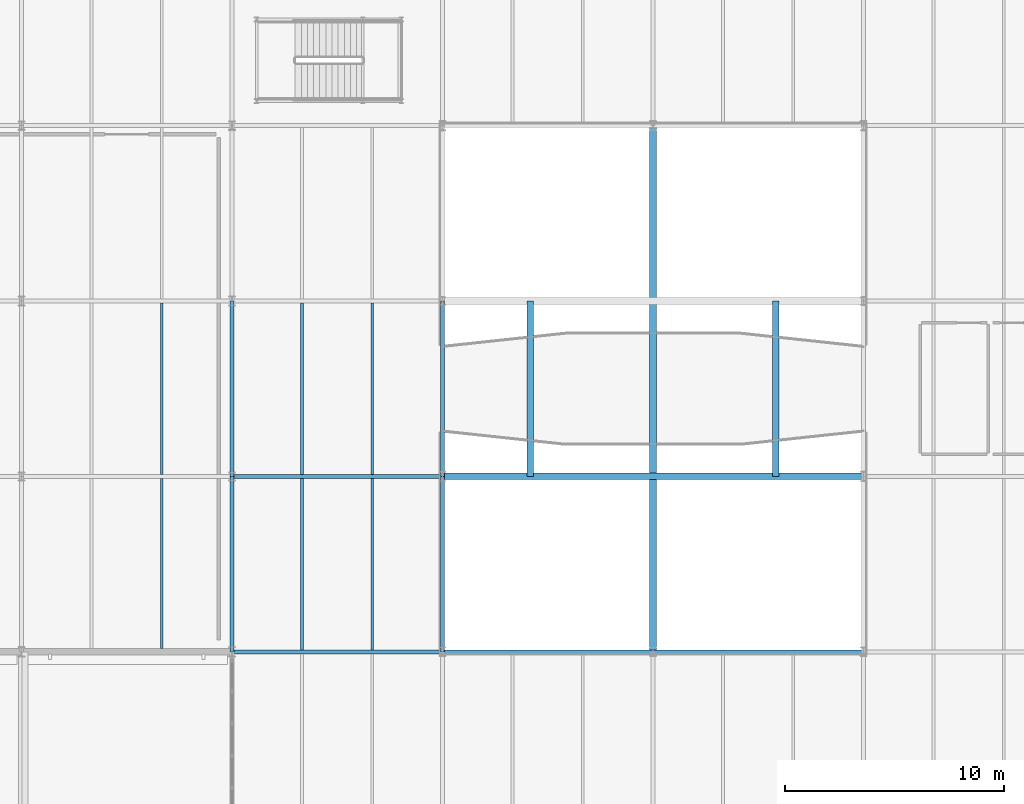
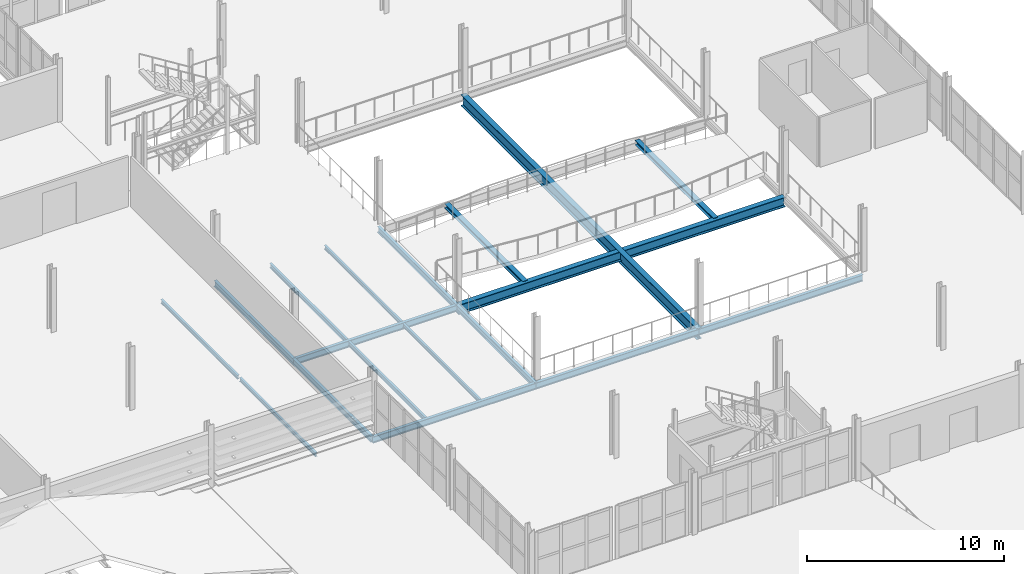
# One storey, part 42 of 85: 18 beams.
"""IFC4 building model written with IfcOpenShell, lengths in metres."""

from ifc_helpers import new_model, si_unit, direction, frame, origin, origin_2d, place, context, subcontext, project, spatial, i_section, extrude, material, material_profile, profile_set, type_object, element, save


model = new_model("IFC4")

# Units and contexts
model_context = context("Model", 3, precision=1e-05, world=origin(), true_north=direction((0.0, 1.0)))
body_context = subcontext(model_context, "Body", "Model", "MODEL_VIEW")
ifc_project = project(units=[si_unit("LENGTHUNIT", "METRE"), si_unit("AREAUNIT", "SQUARE_METRE"), si_unit("VOLUMEUNIT", "CUBIC_METRE"), si_unit("PLANEANGLEUNIT", "RADIAN"), si_unit("MASSUNIT", "GRAM", prefix="KILO")], contexts=[model_context])

# Site, building, storey
site_placement = place(None, origin())
site = spatial("IfcSite", under=ifc_project, at=site_placement, CompositionType="ELEMENT")
building_placement = place(site_placement, origin())
building = spatial("IfcBuilding", under=site, at=building_placement, Name="Alderhovde Museum", CompositionType="ELEMENT")
storey_placement = place(building_placement, frame((0.0, 0.0, 8.699951171875)))
storey = spatial("IfcBuildingStorey", under=building, at=storey_placement, Name="L02", CompositionType="ELEMENT", Elevation=8.699951171875)

# Beams
ifc_material_1 = material(Name="Steel S355J2", Category="steel")
ifc_material_profile_1 = material_profile(ifc_material_1, i_section(OverallWidth=0.280029296875, OverallDepth=0.27001953125, WebThickness=0.008056640625, FlangeThickness=0.012939453125, FilletRadius=0.02392578125, at=origin_2d()), Name="HEA 280")
ifc_profile_set_1 = profile_set([ifc_material_profile_1], Name="Steel S355J2")
beam_type_1 = type_object("IfcBeamType", Name="BM-HEA280", PredefinedType="BEAM", material=ifc_profile_set_1)
for number, where, z_axis, x_axis, name in (
    (1, (90.39990234375, 56.0, -0.35498046875), (0.0, 1.0, 0.0), (-1.0, 0.0, 0.0), "L02 Atrium Bridge Bearer X=90.4"),
    (2, (101.60009765625, 56.0, -0.35498046875), (0.0, 1.0, 0.0), (-1.0, 0.0, 0.0), "L02 Atrium Bridge Bearer X=101.6"),
):
    element("IfcBeam", number, at=place(storey_placement, frame(where, z_axis=z_axis, x_axis=x_axis)), inside=storey, type_object=beam_type_1, Name=name, PredefinedType="BEAM", context=body_context, shape_type="SweptSolid", body=[
        extrude(i_section(OverallWidth=0.280029296875, OverallDepth=0.27001953125, WebThickness=0.008056640625, FlangeThickness=0.012939453125, FilletRadius=0.02392578125, at=origin_2d()), origin(), (0.0, 0.0, 1.0), 8.0),
    ])
ifc_material_2 = material(Name="Steel S355J2", Category="steel")
ifc_material_profile_2 = material_profile(ifc_material_2, i_section(OverallWidth=0.300048828125, OverallDepth=0.60009765625, WebThickness=0.015380859375, FlangeThickness=0.030029296875, FilletRadius=0.027099609375, at=origin_2d()), Name="HEB 600")
ifc_profile_set_2 = profile_set([ifc_material_profile_2], Name="Steel S355J2")
beam_type_2 = type_object("IfcBeamType", Name="BM-HEB600", PredefinedType="BEAM", material=ifc_profile_set_2)
beam_1_placement = place(storey_placement, frame((86.39990234375, 56.0, -0.56005859375), z_axis=(1.0, 0.0, 0.0), x_axis=(0.0, 1.0, 0.0)))
element("IfcBeam", 3, at=beam_1_placement, inside=storey, type_object=beam_type_2, Name="L02 Grid Beam Y=56.0 (86.4 TO 105.6)", PredefinedType="BEAM", context=body_context, shape_type="SweptSolid", body=[
    extrude(i_section(OverallWidth=0.300048828125, OverallDepth=0.60009765625, WebThickness=0.015380859375, FlangeThickness=0.030029296875, FilletRadius=0.027099609375, at=origin_2d()), origin(), (0.0, 0.0, 1.0), 19.2001953125),
])
ifc_material_3 = material(Name="Steel S355J2", Category="steel")
ifc_material_profile_3 = material_profile(ifc_material_3, i_section(OverallWidth=0.300048828125, OverallDepth=0.699951171875, WebThickness=0.01708984375, FlangeThickness=0.031982421875, FilletRadius=0.027099609375, at=origin_2d()), Name="HEB 700")
ifc_profile_set_3 = profile_set([ifc_material_profile_3], Name="Steel S355J2")
beam_type_3 = type_object("IfcBeamType", Name="BM-HEB700", PredefinedType="BEAM", material=ifc_profile_set_3)
beam_2_placement = place(storey_placement, frame((96.0, 48.0, -0.60986328125), z_axis=(0.0, 1.0, 0.0), x_axis=(-1.0, 0.0, 0.0)))
element("IfcBeam", 4, at=beam_2_placement, inside=storey, type_object=beam_type_3, Name="L02 Grid Beam X=96.0 (48.0 TO 72.0)", PredefinedType="BEAM", context=body_context, shape_type="SweptSolid", body=[
    extrude(i_section(OverallWidth=0.300048828125, OverallDepth=0.699951171875, WebThickness=0.01708984375, FlangeThickness=0.031982421875, FilletRadius=0.027099609375, at=origin_2d()), origin(), (0.0, 0.0, 1.0), 24.0),
])
ifc_material_4 = material(Name="Steel S355J2", Category="steel")
ifc_material_profile_4 = material_profile(ifc_material_4, i_section(OverallWidth=0.169921875, OverallDepth=0.360107421875, WebThickness=0.008056640625, FlangeThickness=0.0126953125, FilletRadius=0.01806640625, at=origin_2d()), Name="IPE 360")
ifc_profile_set_4 = profile_set([ifc_material_profile_4], Name="Steel S355J2")
beam_type_4 = type_object("IfcBeamType", Name="BM-IPE360", PredefinedType="BEAM", material=ifc_profile_set_4)
for number, where, z_axis, x_axis, name in (
    (5, (76.800048828125, 48.0, -0.43994140625), (0.0, 1.0, 0.0), (-1.0, 0.0, 0.0), "L02 Grid Beam X=76.8 (48.0 TO 56.0)"),
    (6, (76.800048828125, 56.0, -0.43994140625), (0.0, 1.0, 0.0), (-1.0, 0.0, 0.0), "L02 Grid Beam X=76.8 (56.0 TO 64.0)"),
    (7, (86.39990234375, 48.0, -0.43994140625), (0.0, 1.0, 0.0), (-1.0, 0.0, 0.0), "L02 Grid Beam X=86.4 (48.0 TO 56.0)"),
    (8, (86.39990234375, 56.0, -0.43994140625), (0.0, 1.0, 0.0), (-1.0, 0.0, 0.0), "L02 Grid Beam X=86.4 (56.0 TO 64.0)"),
):
    element("IfcBeam", number, at=place(storey_placement, frame(where, z_axis=z_axis, x_axis=x_axis)), inside=storey, type_object=beam_type_4, Name=name, PredefinedType="BEAM", context=body_context, shape_type="SweptSolid", body=[
        extrude(i_section(OverallWidth=0.169921875, OverallDepth=0.360107421875, WebThickness=0.008056640625, FlangeThickness=0.0126953125, FilletRadius=0.01806640625, at=origin_2d()), origin(), (0.0, 0.0, 1.0), 8.0),
    ])
ifc_material_5 = material(Name="Steel S355J2", Category="steel")
ifc_material_profile_5 = material_profile(ifc_material_5, i_section(OverallWidth=0.179931640625, OverallDepth=0.39990234375, WebThickness=0.008544921875, FlangeThickness=0.013427734375, FilletRadius=0.02099609375, at=origin_2d()), Name="IPE 400")
ifc_profile_set_5 = profile_set([ifc_material_profile_5], Name="Steel S355J2")
beam_type_5 = type_object("IfcBeamType", Name="BM-IPE400", PredefinedType="BEAM", material=ifc_profile_set_5)
beam_3_placement = place(storey_placement, frame((76.800048828125, 48.0, -0.4599609375), z_axis=(1.0, 0.0, 0.0), x_axis=(0.0, 1.0, 0.0)))
element("IfcBeam", 9, at=beam_3_placement, inside=storey, type_object=beam_type_5, Name="L02 Grid Beam Y=48.0 (76.8 TO 86.4)", PredefinedType="BEAM", context=body_context, shape_type="SweptSolid", body=[
    extrude(i_section(OverallWidth=0.179931640625, OverallDepth=0.39990234375, WebThickness=0.008544921875, FlangeThickness=0.013427734375, FilletRadius=0.02099609375, at=origin_2d()), origin(), (0.0, 0.0, 1.0), 9.599853515625),
])
for number, where, z_axis, x_axis, name in (
    (10, (86.39990234375, 48.0, -0.4599609375), (1.0, 0.0, 0.0), (0.0, 1.0, 0.0), "L02 Grid Beam Y=48.0 (86.4 TO 96.0)"),
    (11, (96.0, 48.0, -0.4599609375), (1.0, 0.0, 0.0), (0.0, 1.0, 0.0), "L02 Grid Beam Y=48.0 (96.0 TO 105.6)"),
):
    element("IfcBeam", number, at=place(storey_placement, frame(where, z_axis=z_axis, x_axis=x_axis)), inside=storey, type_object=beam_type_5, Name=name, PredefinedType="BEAM", context=body_context, shape_type="SweptSolid", body=[
        extrude(i_section(OverallWidth=0.179931640625, OverallDepth=0.39990234375, WebThickness=0.008544921875, FlangeThickness=0.013427734375, FilletRadius=0.02099609375, at=origin_2d()), origin(), (0.0, 0.0, 1.0), 9.60009765625),
    ])
beam_4_placement = place(storey_placement, frame((76.800048828125, 56.0, -0.4599609375), z_axis=(1.0, 0.0, 0.0), x_axis=(0.0, 1.0, 0.0)))
element("IfcBeam", 12, at=beam_4_placement, inside=storey, type_object=beam_type_5, Name="L02 Grid Beam Y=56.0 (76.8 TO 86.4)", PredefinedType="BEAM", context=body_context, shape_type="SweptSolid", body=[
    extrude(i_section(OverallWidth=0.179931640625, OverallDepth=0.39990234375, WebThickness=0.008544921875, FlangeThickness=0.013427734375, FilletRadius=0.02099609375, at=origin_2d()), origin(), (0.0, 0.0, 1.0), 9.599853515625),
])
ifc_material_6 = material(Name="Steel S355J2", Category="steel")
ifc_material_profile_6 = material_profile(ifc_material_6, i_section(OverallWidth=0.1201171875, OverallDepth=0.239990234375, WebThickness=0.006103515625, FlangeThickness=0.009765625, FilletRadius=0.014892578125, at=origin_2d()), Name="IPE 240")
ifc_profile_set_6 = profile_set([ifc_material_profile_6], Name="Steel S355J2")
beam_type_6 = type_object("IfcBeamType", Name="JST-IPE240", PredefinedType="JOIST", material=ifc_profile_set_6)
beam_5_placement = place(storey_placement, frame((73.60009765625, 48.14990234375, -0.3798828125), z_axis=(0.0, 1.0, 0.0), x_axis=(-1.0, 0.0, 0.0)))
element("IfcBeam", 13, at=beam_5_placement, inside=storey, type_object=beam_type_6, Name="L02 Composite Joist X=73.6 (48.0 TO 56.0)", PredefinedType="JOIST", context=body_context, shape_type="SweptSolid", body=[
    extrude(i_section(OverallWidth=0.1201171875, OverallDepth=0.239990234375, WebThickness=0.006103515625, FlangeThickness=0.009765625, FilletRadius=0.014892578125, at=origin_2d()), origin(), (0.0, 0.0, 1.0), 7.760009765625),
])
for number, where, z_axis, x_axis, name in (
    (14, (73.60009765625, 56.090087890625, -0.3798828125), (0.0, 1.0, 0.0), (-1.0, 0.0, 0.0), "L02 Composite Joist X=73.6 (56.0 TO 64.0)"),
    (15, (83.199951171875, 48.090087890625, -0.3798828125), (0.0, 1.0, 0.0), (-1.0, 0.0, 0.0), "L02 Composite Joist X=83.2 (48.0 TO 56.0)"),
    (16, (83.199951171875, 56.090087890625, -0.3798828125), (0.0, 1.0, 0.0), (-1.0, 0.0, 0.0), "L02 Composite Joist X=83.2 (56.0 TO 64.0)"),
):
    element("IfcBeam", number, at=place(storey_placement, frame(where, z_axis=z_axis, x_axis=x_axis)), inside=storey, type_object=beam_type_6, Name=name, PredefinedType="JOIST", context=body_context, shape_type="SweptSolid", body=[
        extrude(i_section(OverallWidth=0.1201171875, OverallDepth=0.239990234375, WebThickness=0.006103515625, FlangeThickness=0.009765625, FilletRadius=0.014892578125, at=origin_2d()), origin(), (0.0, 0.0, 1.0), 7.81982421875),
    ])
ifc_material_7 = material(Name="Steel S355J2", Category="steel")
ifc_material_profile_7 = material_profile(ifc_material_7, i_section(OverallWidth=0.135009765625, OverallDepth=0.27001953125, WebThickness=0.006591796875, FlangeThickness=0.01025390625, FilletRadius=0.014892578125, at=origin_2d()), Name="IPE 270")
ifc_profile_set_7 = profile_set([ifc_material_profile_7], Name="Steel S355J2")
beam_type_7 = type_object("IfcBeamType", Name="JST-IPE270", PredefinedType="JOIST", material=ifc_profile_set_7)
for number, where, z_axis, x_axis, name in (
    (17, (80.0, 48.090087890625, -0.39501953125), (0.0, 1.0, 0.0), (-1.0, 0.0, 0.0), "L02 Composite Joist X=80.0 (48.0 TO 56.0)"),
    (18, (80.0, 56.090087890625, -0.39501953125), (0.0, 1.0, 0.0), (-1.0, 0.0, 0.0), "L02 Composite Joist X=80.0 (56.0 TO 64.0)"),
):
    element("IfcBeam", number, at=place(storey_placement, frame(where, z_axis=z_axis, x_axis=x_axis)), inside=storey, type_object=beam_type_7, Name=name, PredefinedType="JOIST", context=body_context, shape_type="SweptSolid", body=[
        extrude(i_section(OverallWidth=0.135009765625, OverallDepth=0.27001953125, WebThickness=0.006591796875, FlangeThickness=0.01025390625, FilletRadius=0.014892578125, at=origin_2d()), origin(), (0.0, 0.0, 1.0), 7.81982421875),
    ])

save(model, "model.ifc")
